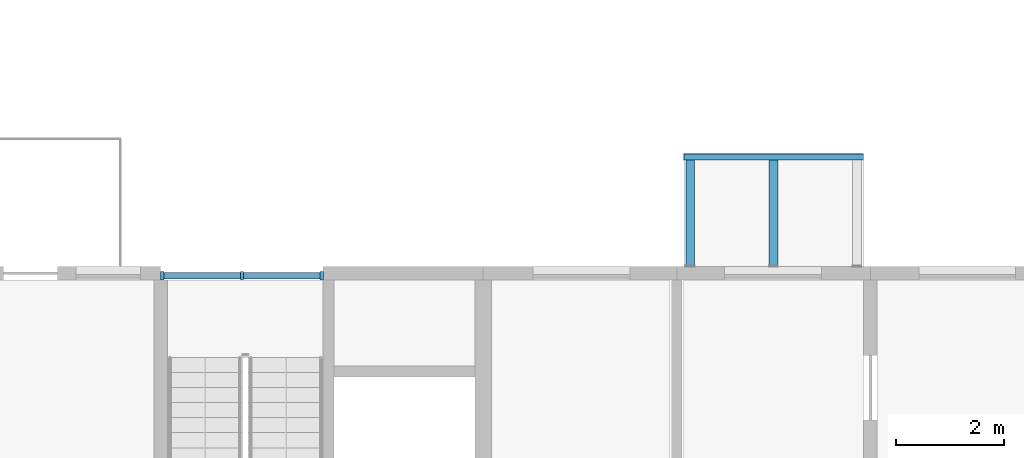
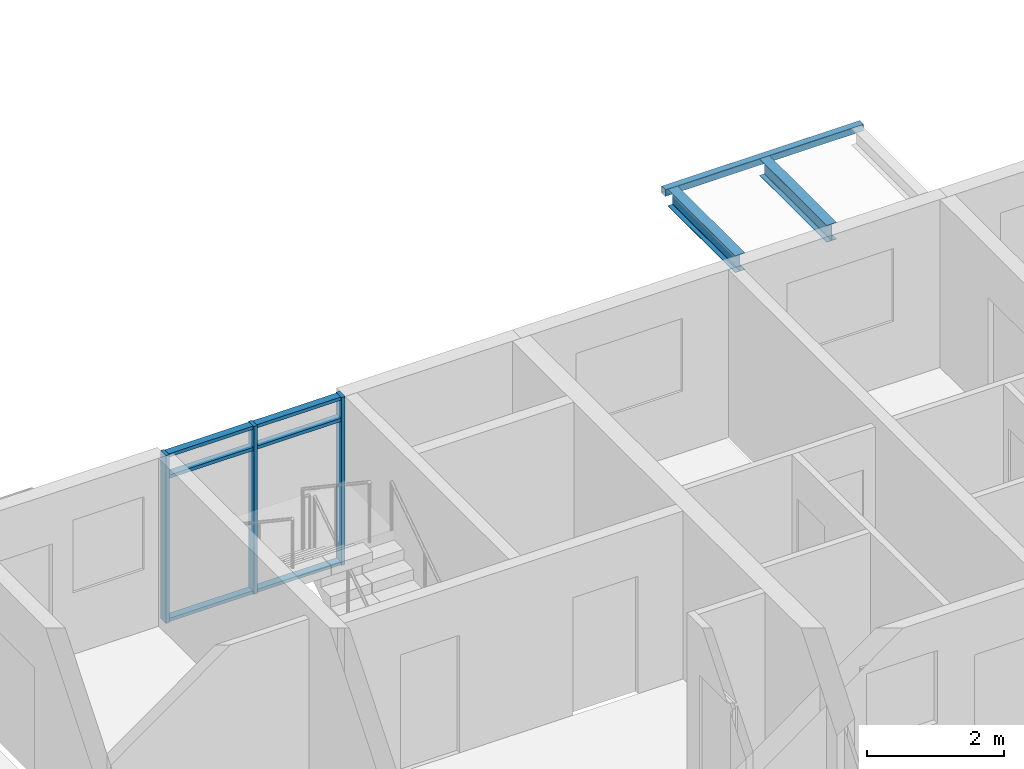
# One storey, part 16 of 98: 9 members, 3 beams, 1 element without a shape of its own.
"""IFC4 building model written with IfcOpenShell, lengths in metres."""

from ifc_helpers import new_model, si_unit, direction, frame, origin, origin_2d, place, context, subcontext, project, spatial, rectangle, hollow_rectangle, i_section, extrude, material, material_profile, profile_set, type_object, element, aggregate, save


model = new_model("IFC4")

# Units and contexts
model_context = context("Model", 3, precision=1e-05, world=origin(), true_north=direction((0.0, 1.0)))
body_context = subcontext(model_context, "Body", "Model", "MODEL_VIEW")
ifc_project = project(units=[si_unit("LENGTHUNIT", "METRE"), si_unit("AREAUNIT", "SQUARE_METRE"), si_unit("VOLUMEUNIT", "CUBIC_METRE"), si_unit("PLANEANGLEUNIT", "RADIAN"), si_unit("MASSUNIT", "GRAM", prefix="KILO")], contexts=[model_context])

# Site, building, storey
site_placement = place(None, origin())
site = spatial("IfcSite", under=ifc_project, at=site_placement, CompositionType="ELEMENT")
building_placement = place(site_placement, origin())
building = spatial("IfcBuilding", under=site, at=building_placement, Name="Ridgestep Commons", CompositionType="ELEMENT")
storey_placement = place(building_placement, frame((0.0, 0.0, 12.0)))
storey = spatial("IfcBuildingStorey", under=building, at=storey_placement, Name="L04", CompositionType="ELEMENT", Elevation=12.0)

# Curtain wall, members
ifc_material_1 = material(Name="Aluminium 6063-T6 and glass", Category="aluminium")
curtain_wall_type = type_object("IfcCurtainWallType", Name="Curtain wall stair strip", PredefinedType="NOTDEFINED", material=ifc_material_1)
curtain_wall_placement = place(storey_placement, origin())
curtain_wall = element("IfcCurtainWall", 1, at=curtain_wall_placement, inside=storey, type_object=curtain_wall_type, Name="Curtain wall D3C level 04", PredefinedType="NOTDEFINED")
ifc_material_2 = material(Name="Aluminium 6063-T6", Category="aluminium")
ifc_material_profile_1 = material_profile(ifc_material_2, rectangle(XDim=0.159912109375, YDim=0.06005859375, at=origin_2d()), Name="Mullion 60 x 160")
ifc_profile_set_1 = profile_set([ifc_material_profile_1], Name="Aluminium 6063-T6")
member_type_1 = type_object("IfcMemberType", Name="Mullion 60 x 160", PredefinedType="MULLION", material=ifc_profile_set_1)
member_1_placement = place(storey_placement, frame((191.22998046875, 22.830078125, 0.0), z_axis=(0.0, 0.0, 1.0), x_axis=(0.0, 1.0, 0.0)))
member_1 = element("IfcMember", 2, at=member_1_placement, type_object=member_type_1, Name="CW1 mullion 1", PredefinedType="MULLION", context=body_context, shape_type="SweptSolid", body=[
    extrude(rectangle(XDim=0.159912109375, YDim=0.06005859375, at=origin_2d()), origin(), (0.0, 0.0, 1.0), 3.0),
])
member_2_placement = place(storey_placement, frame((192.71240234375, 22.830078125, 0.0), z_axis=(0.0, 0.0, 1.0), x_axis=(0.0, 1.0, 0.0)))
member_2 = element("IfcMember", 3, at=member_2_placement, type_object=member_type_1, Name="CW1 mullion 2", PredefinedType="MULLION", context=body_context, shape_type="SweptSolid", body=[
    extrude(rectangle(XDim=0.159912109375, YDim=0.06005859375, at=origin_2d()), origin(), (0.0, 0.0, 1.0), 3.0),
])
member_3_placement = place(storey_placement, frame((194.195068359375, 22.830078125, 0.0), z_axis=(0.0, 0.0, 1.0), x_axis=(0.0, 1.0, 0.0)))
member_3 = element("IfcMember", 4, at=member_3_placement, type_object=member_type_1, Name="CW1 mullion 3", PredefinedType="MULLION", context=body_context, shape_type="SweptSolid", body=[
    extrude(rectangle(XDim=0.159912109375, YDim=0.06005859375, at=origin_2d()), origin(), (0.0, 0.0, 1.0), 3.0),
])
ifc_material_3 = material(Name="Aluminium 6063-T6", Category="aluminium")
ifc_material_profile_2 = material_profile(ifc_material_3, rectangle(XDim=0.1201171875, YDim=0.06005859375, at=origin_2d()), Name="Transom 60 x 120")
ifc_profile_set_2 = profile_set([ifc_material_profile_2], Name="Aluminium 6063-T6")
member_type_2 = type_object("IfcMemberType", Name="Transom 60 x 120", PredefinedType="USERDEFINED", material=ifc_profile_set_2)
member_4_placement = place(storey_placement, frame((191.260009765625, 22.830078125, 0.030029296875), z_axis=(1.0, 0.0, 0.0), x_axis=(0.0, 1.0, 0.0)))
member_4 = element("IfcMember", 5, at=member_4_placement, type_object=member_type_2, Name="CW1 transom 1.1", ObjectType="TRANSOM", PredefinedType="USERDEFINED", context=body_context, shape_type="SweptSolid", body=[
    extrude(rectangle(XDim=0.1201171875, YDim=0.06005859375, at=origin_2d()), origin(), (0.0, 0.0, 1.0), 1.422607421875),
])
member_5_placement = place(storey_placement, frame((191.260009765625, 22.830078125, 2.590087890625), z_axis=(1.0, 0.0, 0.0), x_axis=(0.0, 1.0, 0.0)))
member_5 = element("IfcMember", 6, at=member_5_placement, type_object=member_type_2, Name="CW1 transom 1.2", ObjectType="TRANSOM", PredefinedType="USERDEFINED", context=body_context, shape_type="SweptSolid", body=[
    extrude(rectangle(XDim=0.1201171875, YDim=0.06005859375, at=origin_2d()), origin(), (0.0, 0.0, 1.0), 1.422607421875),
])
member_6_placement = place(storey_placement, frame((191.260009765625, 22.830078125, 2.969970703125), z_axis=(1.0, 0.0, 0.0), x_axis=(0.0, 1.0, 0.0)))
member_6 = element("IfcMember", 7, at=member_6_placement, type_object=member_type_2, Name="CW1 transom 1.3", ObjectType="TRANSOM", PredefinedType="USERDEFINED", context=body_context, shape_type="SweptSolid", body=[
    extrude(rectangle(XDim=0.1201171875, YDim=0.06005859375, at=origin_2d()), origin(), (0.0, 0.0, 1.0), 1.422607421875),
])
member_7_placement = place(storey_placement, frame((192.742431640625, 22.830078125, 0.030029296875), z_axis=(1.0, 0.0, 0.0), x_axis=(0.0, 1.0, 0.0)))
member_7 = element("IfcMember", 8, at=member_7_placement, type_object=member_type_2, Name="CW1 transom 2.1", ObjectType="TRANSOM", PredefinedType="USERDEFINED", context=body_context, shape_type="SweptSolid", body=[
    extrude(rectangle(XDim=0.1201171875, YDim=0.06005859375, at=origin_2d()), origin(), (0.0, 0.0, 1.0), 1.422607421875),
])
member_8_placement = place(storey_placement, frame((192.742431640625, 22.830078125, 2.590087890625), z_axis=(1.0, 0.0, 0.0), x_axis=(0.0, 1.0, 0.0)))
member_8 = element("IfcMember", 9, at=member_8_placement, type_object=member_type_2, Name="CW1 transom 2.2", ObjectType="TRANSOM", PredefinedType="USERDEFINED", context=body_context, shape_type="SweptSolid", body=[
    extrude(rectangle(XDim=0.1201171875, YDim=0.06005859375, at=origin_2d()), origin(), (0.0, 0.0, 1.0), 1.422607421875),
])
member_9_placement = place(storey_placement, frame((192.742431640625, 22.830078125, 2.969970703125), z_axis=(1.0, 0.0, 0.0), x_axis=(0.0, 1.0, 0.0)))
member_9 = element("IfcMember", 10, at=member_9_placement, type_object=member_type_2, Name="CW1 transom 2.3", ObjectType="TRANSOM", PredefinedType="USERDEFINED", context=body_context, shape_type="SweptSolid", body=[
    extrude(rectangle(XDim=0.1201171875, YDim=0.06005859375, at=origin_2d()), origin(), (0.0, 0.0, 1.0), 1.422607421875),
])
aggregate(curtain_wall, [member_1, member_2, member_3, member_4, member_5, member_6, member_7, member_8, member_9])

# Beams
ifc_material_4 = material(Name="Weathering steel S355J2W", Category="steel")
ifc_material_profile_3 = material_profile(ifc_material_4, i_section(OverallWidth=0.1650390625, OverallDepth=0.303466796875, WebThickness=0.006103515625, FlangeThickness=0.01025390625, FilletRadius=0.0087890625, at=origin_2d()), Name="UB 305x165x40")
ifc_profile_set_3 = profile_set([ifc_material_profile_3], Name="Weathering steel S355J2W")
beam_type_1 = type_object("IfcBeamType", Name="Tray arm UB 305x165x40", PredefinedType="BEAM", material=ifc_profile_set_3)
for number, where, z_axis, x_axis, name in (
    (11, (201.050048828125, 23.014892578125, 2.83837890625), (0.0, 1.0, 0.0), (-1.0, 0.0, 0.0), "Tray arm D4T2-05.1"),
    (12, (202.60009765625, 23.014892578125, 2.83837890625), (0.0, 1.0, 0.0), (-1.0, 0.0, 0.0), "Tray arm D4T2-05.2"),
):
    element("IfcBeam", number, at=place(storey_placement, frame(where, z_axis=z_axis, x_axis=x_axis)), inside=storey, type_object=beam_type_1, Name=name, PredefinedType="BEAM", context=body_context, shape_type="SweptSolid", body=[
        extrude(i_section(OverallWidth=0.1650390625, OverallDepth=0.303466796875, WebThickness=0.006103515625, FlangeThickness=0.01025390625, FilletRadius=0.0087890625, at=origin_2d()), origin(), (0.0, 0.0, 1.0), 1.965087890625),
    ])
ifc_material_5 = material(Name="Weathering steel S355J2W", Category="steel")
ifc_material_profile_4 = material_profile(ifc_material_5, hollow_rectangle(XDim=0.1201171875, YDim=0.1201171875, WallThickness=0.00634765625, InnerFilletRadius=0.00634765625, OuterFilletRadius=0.009521484375, at=origin_2d()), Name="SHS 120x120x6.3")
ifc_profile_set_4 = profile_set([ifc_material_profile_4], Name="Weathering steel S355J2W")
beam_type_2 = type_object("IfcBeamType", Name="Tray edge member SHS 120x120x6.3", PredefinedType="BEAM", material=ifc_profile_set_4)
beam_placement = place(storey_placement, frame((200.929931640625, 25.0400390625, 2.929931640625), z_axis=(1.0, 0.0, 0.0), x_axis=(0.0, 0.0, 1.0)))
element("IfcBeam", 13, at=beam_placement, inside=storey, type_object=beam_type_2, Name="Tray edge member D4T2-05", PredefinedType="BEAM", context=body_context, shape_type="SweptSolid", body=[
    extrude(hollow_rectangle(XDim=0.1201171875, YDim=0.1201171875, WallThickness=0.00634765625, InnerFilletRadius=0.00634765625, OuterFilletRadius=0.009521484375, at=origin_2d()), origin(), (0.0, 0.0, 1.0), 3.340087890625),
])

save(model, "model.ifc")
